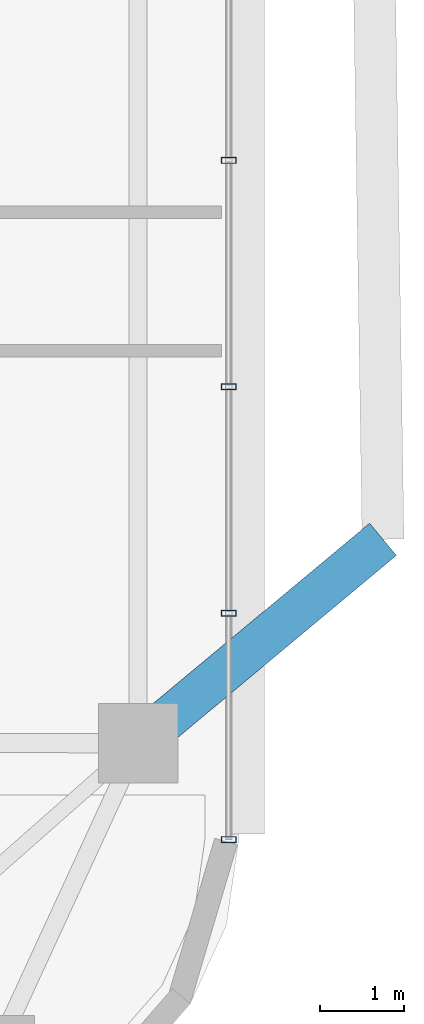
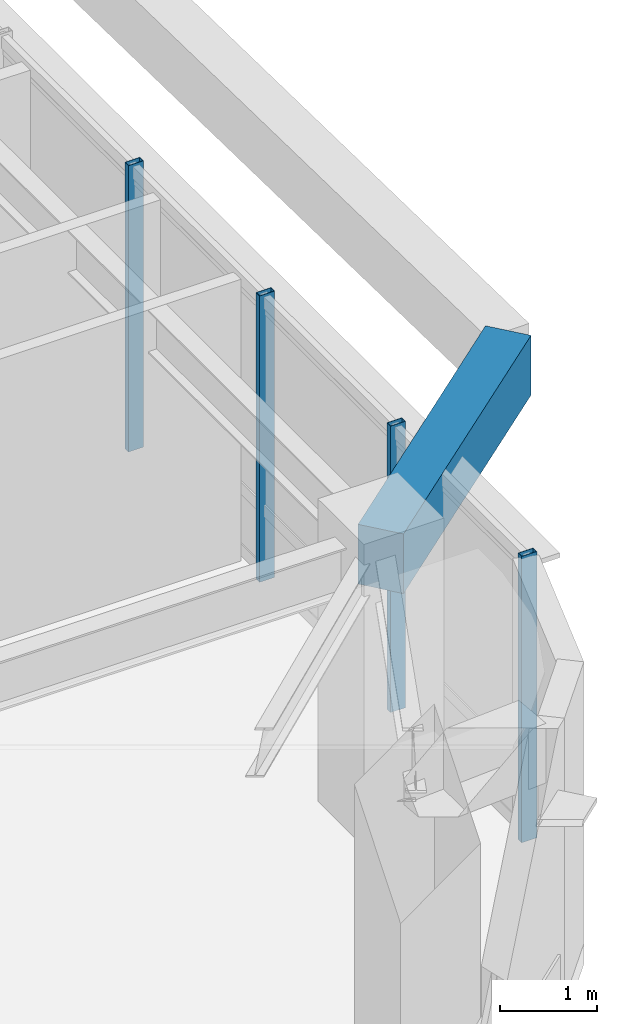
# One storey, part 2 of 14: 4 members, 1 beam, 1 element without a shape of its own.
"""IFC4 building model written with IfcOpenShell, lengths in metres."""

from ifc_helpers import new_model, si_unit, direction, frame, origin, origin_2d, place, context, subcontext, project, spatial, rectangle, hollow_rectangle, extrude, material, material_profile, profile_set, type_object, element, aggregate, save


model = new_model("IFC4")

# Units and contexts
model_context = context("Model", 3, precision=1e-05, world=origin(), true_north=direction((0.0, 1.0)))
body_context = subcontext(model_context, "Body", "Model", "MODEL_VIEW")
ifc_project = project(units=[si_unit("LENGTHUNIT", "METRE"), si_unit("AREAUNIT", "SQUARE_METRE"), si_unit("VOLUMEUNIT", "CUBIC_METRE"), si_unit("PLANEANGLEUNIT", "RADIAN"), si_unit("MASSUNIT", "GRAM", prefix="KILO")], contexts=[model_context])

# Site, building, storey
site_placement = place(None, origin())
site = spatial("IfcSite", under=ifc_project, at=site_placement, CompositionType="ELEMENT")
building_placement = place(site_placement, origin())
building = spatial("IfcBuilding", under=site, at=building_placement, Name="Zulverin Broadcast Headquarters", CompositionType="ELEMENT")
storey_placement = place(building_placement, frame((0.0, 0.0, 178.199951171875)))
storey = spatial("IfcBuildingStorey", under=building, at=storey_placement, Name="L45", CompositionType="ELEMENT", Elevation=178.199951171875)

# Beam
ifc_material_1 = material(Name="Concrete C40/50", Category="concrete")
ifc_material_profile_1 = material_profile(ifc_material_1, rectangle(XDim=0.5, YDim=0.75, at=origin_2d()), Name="Concrete C40/50", Category="concrete")
ifc_profile_set_1 = profile_set([ifc_material_profile_1], Name="Concrete C40/50")
beam_type = type_object("IfcBeamType", Name="BM-RC-500x750", PredefinedType="BEAM", material=ifc_profile_set_1)
beam_placement = place(storey_placement, frame((60.60009765625, 17.519287109375, 3.1650390625), z_axis=(0.768400300007, 0.639969514078, 0.0), x_axis=(-0.639969514078, 0.768400300007, 0.0)))
element("IfcBeam", 1, at=beam_placement, inside=storey, type_object=beam_type, Name="L46 Balcony Column-Framed Cantilever BAL_E-1", PredefinedType="BEAM", context=body_context, shape_type="SweptSolid", body=[
    extrude(rectangle(XDim=0.5, YDim=0.75, at=origin_2d()), origin(), (0.0, 0.0, 1.0), 3.800048828125),
])

# Curtain wall, members
ifc_material_2 = material(Name="Waist wind-pressure unitised curtain wall", Category="aluminium")
curtain_wall_type = type_object("IfcCurtainWallType", Name="CW-TWR-WST", PredefinedType="USERDEFINED", material=ifc_material_2)
curtain_wall_placement = place(storey_placement, origin())
curtain_wall = element("IfcCurtainWall", 2, at=curtain_wall_placement, inside=storey, type_object=curtain_wall_type, Name="L45 Unitised Curtain Wall CW-L45-E3", ObjectType="UNITISED CURTAIN WALL", PredefinedType="USERDEFINED")
ifc_material_3 = material(Name="Anodized pale-metal aluminium alloy 6063-T6", Category="aluminium")
ifc_material_profile_2 = material_profile(ifc_material_3, hollow_rectangle(XDim=0.074951171875, YDim=0.179931640625, WallThickness=0.0048828125, at=origin_2d()), Name="Anodized pale-metal aluminium alloy 6063-T6", Category="aluminium")
ifc_profile_set_2 = profile_set([ifc_material_profile_2], Name="Anodized pale-metal aluminium alloy 6063-T6")
member_type = type_object("IfcMemberType", Name="CW-MUL-180", PredefinedType="MULLION", material=ifc_profile_set_2)
member_1_placement = place(storey_placement, frame((61.679931640625, 16.369384765625, -0.030029296875), z_axis=(0.0, 0.0, 1.0), x_axis=(0.0, 1.0, 0.0)))
member_1 = element("IfcMember", 3, at=member_1_placement, type_object=member_type, Name="CW-L45-E3 Mullion 00", PredefinedType="MULLION", context=body_context, shape_type="SweptSolid", body=[
    extrude(hollow_rectangle(XDim=0.074951171875, YDim=0.179931640625, WallThickness=0.0048828125, at=origin_2d()), origin(), (0.0, 0.0, 1.0), 3.60009765625),
])
member_2_placement = place(storey_placement, frame((61.679931640625, 19.069580078125, -0.030029296875), z_axis=(0.0, 0.0, 1.0), x_axis=(0.0, 1.0, 0.0)))
member_2 = element("IfcMember", 4, at=member_2_placement, type_object=member_type, Name="CW-L45-E3 Mullion 01", PredefinedType="MULLION", context=body_context, shape_type="SweptSolid", body=[
    extrude(hollow_rectangle(XDim=0.074951171875, YDim=0.179931640625, WallThickness=0.0048828125, at=origin_2d()), origin(), (0.0, 0.0, 1.0), 3.60009765625),
])
member_3_placement = place(storey_placement, frame((61.679931640625, 21.77001953125, -0.030029296875), z_axis=(0.0, 0.0, 1.0), x_axis=(0.0, 1.0, 0.0)))
member_3 = element("IfcMember", 5, at=member_3_placement, type_object=member_type, Name="CW-L45-E3 Mullion 02", PredefinedType="MULLION", context=body_context, shape_type="SweptSolid", body=[
    extrude(hollow_rectangle(XDim=0.074951171875, YDim=0.179931640625, WallThickness=0.0048828125, at=origin_2d()), origin(), (0.0, 0.0, 1.0), 3.60009765625),
])
member_4_placement = place(storey_placement, frame((61.679931640625, 24.47021484375, -0.030029296875), z_axis=(0.0, 0.0, 1.0), x_axis=(0.0, 1.0, 0.0)))
member_4 = element("IfcMember", 6, at=member_4_placement, type_object=member_type, Name="CW-L45-E3 Mullion 03", PredefinedType="MULLION", context=body_context, shape_type="SweptSolid", body=[
    extrude(hollow_rectangle(XDim=0.074951171875, YDim=0.179931640625, WallThickness=0.0048828125, at=origin_2d()), origin(), (0.0, 0.0, 1.0), 3.60009765625),
])
aggregate(curtain_wall, [member_1, member_2, member_3, member_4])

save(model, "model.ifc")
